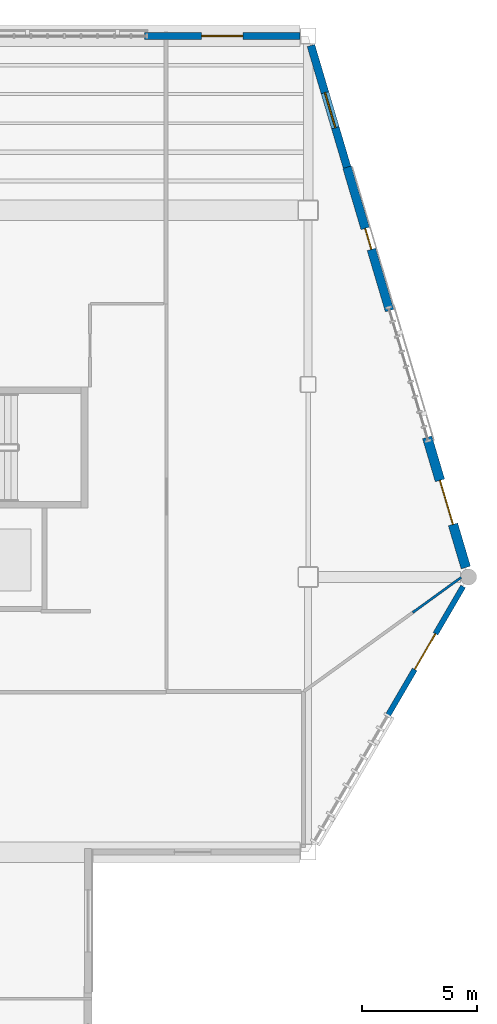
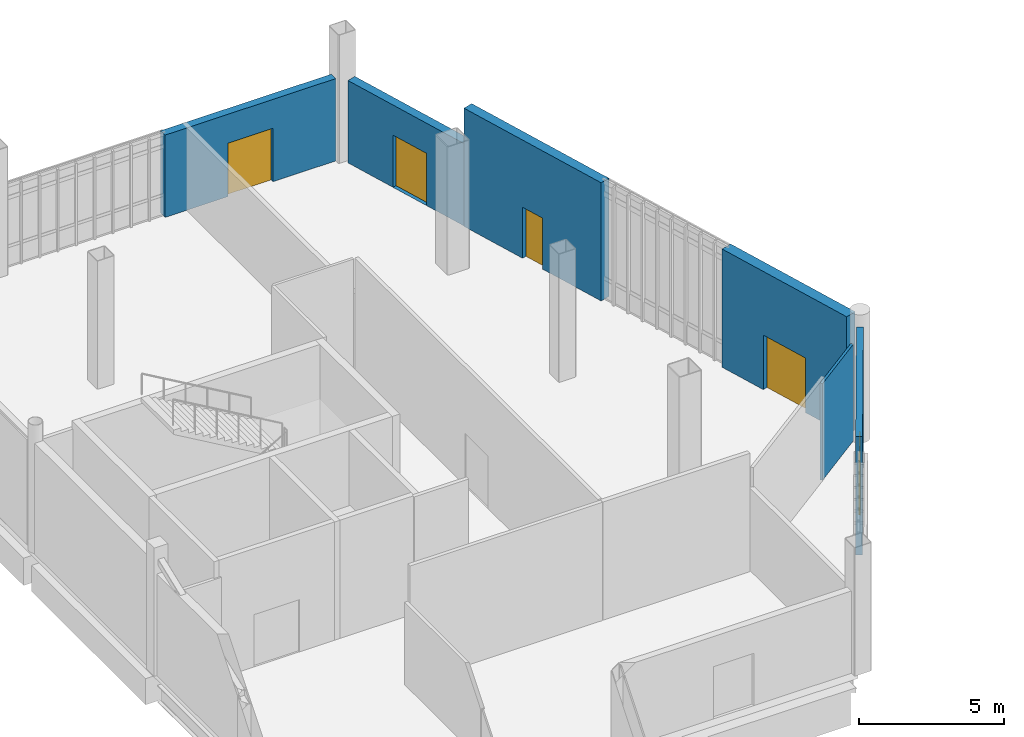
# One storey, part 92 of 111: 6 walls, 5 doors, 5 openings.
"""IFC4 building model written with IfcOpenShell, lengths in metres."""

from ifc_helpers import new_model, si_unit, direction, frame, frame_2d, origin, place, context, subcontext, project, spatial, rectangle, extrude, material, layer, layer_set, type_object, element, fill, save


model = new_model("IFC4")

# Units and contexts
model_context = context("Model", 3, precision=1e-05, world=origin(), true_north=direction((0.0, 1.0)))
body_context = subcontext(model_context, "Body", "Model", "MODEL_VIEW")
ifc_project = project(units=[si_unit("LENGTHUNIT", "METRE"), si_unit("AREAUNIT", "SQUARE_METRE"), si_unit("VOLUMEUNIT", "CUBIC_METRE"), si_unit("PLANEANGLEUNIT", "RADIAN"), si_unit("MASSUNIT", "GRAM", prefix="KILO")], contexts=[model_context])

# Site, building, storey
site_placement = place(None, origin())
site = spatial("IfcSite", under=ifc_project, at=site_placement, CompositionType="ELEMENT")
building_placement = place(site_placement, origin())
building = spatial("IfcBuilding", under=site, at=building_placement, Name="Larkvane Passage Sports Hall", CompositionType="ELEMENT")
storey_placement = place(building_placement, origin())
storey = spatial("IfcBuildingStorey", under=building, at=storey_placement, Name="L00", CompositionType="ELEMENT", Elevation=0.0)

# Wall, opening, door
ifc_material_1 = material(Name="Concrete C40/50", Category="concrete")
ifc_layer_1 = layer(ifc_material_1, 0.239990234375)
ifc_layer_set_1 = layer_set([ifc_layer_1], Name="Concrete C40/50")
wall_type_1 = type_object("IfcWallType", Name="WL-EXT-240", PredefinedType="SOLIDWALL", material=ifc_layer_set_1)
wall_1_placement = place(storey_placement, frame((152.36083984375, 75.18994140625, 0.0), z_axis=(0.0, 0.0, 1.0), x_axis=(-0.503871025524, -0.863778900898, 0.0)))
wall_1 = element("IfcWall", 1, at=wall_1_placement, inside=storey, type_object=wall_type_1, Name="Exterior wall WAL-EXT-L00-042", PredefinedType="SOLIDWALL", context=body_context, shape_type="SweptSolid", body=[
    extrude(rectangle(XDim=6.586669921875, YDim=0.239990234375, at=frame_2d((3.29345703125, 0.0))), origin(), (0.0, 0.0, 1.0), 4.97998046875),
])
opening_1_placement = place(wall_1_placement, frame((2.39306640625, 0.0, 0.0)))
opening_1 = element("IfcOpeningElement", 2, at=opening_1_placement, cuts=wall_1, Name="Opening DE-03", PredefinedType="OPENING", context=body_context, shape_type="SweptSolid", body=[
    extrude(rectangle(XDim=1.800048828125, YDim=2.25, at=frame_2d((0.89990234375, 1.125))), frame((0.0, 0.1298828125, 0.0), z_axis=(0.0, -1.0, 0.0), x_axis=(1.0, 0.0, 0.0)), (0.0, 0.0, 1.0), 0.260009765625),
])
ifc_material_2 = material(Name="Galvanised steel S355JR fire exit leaf", Category="steel")
door_type_1 = type_object("IfcDoorType", Name="DR-EXIT-1800", OperationType="DOUBLE_DOOR_SINGLE_SWING", PredefinedType="DOOR", material=ifc_material_2)
door_1_placement = place(opening_1_placement, origin())
door_1 = element("IfcDoor", 3, at=door_1_placement, inside=storey, type_object=door_type_1, Name="Exterior door L00-023", OperationType="DOUBLE_DOOR_SINGLE_SWING", OverallHeight=2.25, OverallWidth=1.800048828125, PredefinedType="DOOR", context=body_context, shape_type="SweptSolid", body=[
    extrude(rectangle(XDim=1.800048828125, YDim=2.25, at=frame_2d((0.89990234375, 1.125))), frame((0.0, 0.02490234375, 0.0), z_axis=(0.0, -1.0, 0.0), x_axis=(1.0, 0.0, 0.0)), (0.0, 0.0, 1.0), 0.050048828125),
])
fill(opening_1, door_1)

ifc_material_3 = material(Name="Precast concrete C45/55", Category="concrete")
ifc_layer_2 = layer(ifc_material_3, 0.31005859375)
ifc_layer_set_2 = layer_set([ifc_layer_2], Name="Precast concrete C45/55")
wall_type_2 = type_object("IfcWallType", Name="WL-EXT-310", PredefinedType="SOLIDWALL", material=ifc_layer_set_2)
wall_2_placement = place(storey_placement, frame((138.451171875, 99.199951171875, 0.0), z_axis=(0.0, 0.0, 1.0), x_axis=(1.0, 0.0, 0.0)))
wall_2 = element("IfcWall", 4, at=wall_2_placement, inside=storey, type_object=wall_type_2, Name="Exterior wall WAL-EXT-L00-038", PredefinedType="SOLIDWALL", context=body_context, shape_type="SweptSolid", body=[
    extrude(rectangle(XDim=6.802734375, YDim=0.31005859375, at=frame_2d((3.4013671875, 0.0))), origin(), (0.0, 0.0, 1.0), 3.468017578125),
])
opening_2_placement = place(wall_2_placement, frame((2.5009765625, 0.0, 0.0)))
opening_2 = element("IfcOpeningElement", 5, at=opening_2_placement, cuts=wall_2, Name="Opening DE-03", PredefinedType="OPENING", context=body_context, shape_type="SweptSolid", body=[
    extrude(rectangle(XDim=1.800048828125, YDim=2.25, at=frame_2d((0.89990234375, 1.125))), frame((0.0, 0.1650390625, 0.0), z_axis=(0.0, -1.0, 0.0), x_axis=(1.0, 0.0, 0.0)), (0.0, 0.0, 1.0), 0.330078125),
])
door_2_placement = place(opening_2_placement, origin())
door_2 = element("IfcDoor", 6, at=door_2_placement, inside=storey, type_object=door_type_1, Name="Exterior door L00-019", OperationType="DOUBLE_DOOR_SINGLE_SWING", OverallHeight=2.25, OverallWidth=1.800048828125, PredefinedType="DOOR", context=body_context, shape_type="SweptSolid", body=[
    extrude(rectangle(XDim=1.800048828125, YDim=2.25, at=frame_2d((0.89990234375, 1.125))), frame((0.0, 0.02490234375, 0.0), z_axis=(0.0, -1.0, 0.0), x_axis=(1.0, 0.0, 0.0)), (0.0, 0.0, 1.0), 0.050048828125),
])
fill(opening_2, door_2)

ifc_layer_3 = layer(ifc_material_3, 0.344970703125)
ifc_layer_set_3 = layer_set([ifc_layer_3], Name="Precast concrete C45/55")
wall_type_3 = type_object("IfcWallType", Name="WL-EXT-345", PredefinedType="SOLIDWALL", material=ifc_layer_set_3)
wall_3_placement = place(storey_placement, frame((145.72265625, 98.78662109375, 0.0), z_axis=(0.0, 0.0, 1.0), x_axis=(0.284372052142, -0.958714001129, 0.0)))
wall_3 = element("IfcWall", 7, at=wall_3_placement, inside=storey, type_object=wall_type_3, Name="Exterior wall WAL-EXT-L00-039", PredefinedType="SOLIDWALL", context=body_context, shape_type="SweptSolid", body=[
    extrude(rectangle(XDim=5.888671875, YDim=0.344970703125, at=frame_2d((2.9443359375, 0.0))), origin(), (0.0, 0.0, 1.0), 3.468017578125),
])
opening_3_placement = place(wall_3_placement, frame((2.14404296875, 0.0, 0.0)))
opening_3 = element("IfcOpeningElement", 8, at=opening_3_placement, cuts=wall_3, Name="Opening DE-04", PredefinedType="OPENING", context=body_context, shape_type="SweptSolid", body=[
    extrude(rectangle(XDim=1.60009765625, YDim=2.199951171875, at=frame_2d((0.800048828125, 1.10009765625))), frame((0.0, 0.182373046875, 0.0), z_axis=(0.0, -1.0, 0.0), x_axis=(1.0, 0.0, 0.0)), (0.0, 0.0, 1.0), 0.364990234375),
])
door_type_2 = type_object("IfcDoorType", Name="DR-EXIT-1600", OperationType="DOUBLE_DOOR_SINGLE_SWING", PredefinedType="DOOR", material=ifc_material_2)
door_3_placement = place(opening_3_placement, origin())
door_3 = element("IfcDoor", 9, at=door_3_placement, inside=storey, type_object=door_type_2, Name="Exterior door L00-020", OperationType="DOUBLE_DOOR_SINGLE_SWING", OverallHeight=2.199951171875, OverallWidth=1.60009765625, PredefinedType="DOOR", context=body_context, shape_type="SweptSolid", body=[
    extrude(rectangle(XDim=1.60009765625, YDim=2.199951171875, at=frame_2d((0.800048828125, 1.10009765625))), frame((0.0, 0.02490234375, 0.0), z_axis=(0.0, -1.0, 0.0), x_axis=(1.0, 0.0, 0.0)), (0.0, 0.0, 1.0), 0.050048828125),
])
fill(opening_3, door_3)

ifc_layer_4 = layer(ifc_material_1, 0.385009765625)
ifc_layer_set_4 = layer_set([ifc_layer_4], Name="Concrete C40/50")
wall_type_4 = type_object("IfcWallType", Name="WL-EXT-385", PredefinedType="SOLIDWALL", material=ifc_layer_set_4)
wall_4_placement = place(storey_placement, frame((147.29736328125, 93.477294921875, 0.0), z_axis=(0.0, 0.0, 1.0), x_axis=(0.284380105475, -0.958711612327, 0.0)))
wall_4 = element("IfcWall", 10, at=wall_4_placement, inside=storey, type_object=wall_type_4, Name="Exterior wall WAL-EXT-L00-040", PredefinedType="SOLIDWALL", context=body_context, shape_type="SweptSolid", body=[
    extrude(rectangle(XDim=6.523681640625, YDim=0.385009765625, at=frame_2d((3.26171875, 0.0))), origin(), (0.0, 0.0, 1.0), 4.97998046875),
])
opening_4_placement = place(wall_4_placement, frame((2.787109375, 0.0, 0.0)))
opening_4 = element("IfcOpeningElement", 11, at=opening_4_placement, cuts=wall_4, Name="Opening DE-08", PredefinedType="OPENING", context=body_context, shape_type="SweptSolid", body=[
    extrude(rectangle(XDim=0.949951171875, YDim=2.14990234375, at=frame_2d((0.47509765625, 1.074951171875))), frame((0.0, 0.202392578125, 0.0), z_axis=(0.0, -1.0, 0.0), x_axis=(1.0, 0.0, 0.0)), (0.0, 0.0, 1.0), 0.405029296875),
])
door_type_3 = type_object("IfcDoorType", Name="DR-FIRE-950", OperationType="NOTDEFINED", PredefinedType="DOOR", material=ifc_material_2)
door_4_placement = place(opening_4_placement, origin())
door_4 = element("IfcDoor", 12, at=door_4_placement, inside=storey, type_object=door_type_3, Name="Exterior door L00-021", OperationType="SINGLE_SWING_RIGHT", OverallHeight=2.14990234375, OverallWidth=0.949951171875, PredefinedType="DOOR", context=body_context, shape_type="SweptSolid", body=[
    extrude(rectangle(XDim=0.949951171875, YDim=2.14990234375, at=frame_2d((0.47509765625, 1.074951171875))), frame((0.0, 0.02490234375, 0.0), z_axis=(0.0, -1.0, 0.0), x_axis=(1.0, 0.0, 0.0)), (0.0, 0.0, 1.0), 0.050048828125),
])
fill(opening_4, door_4)

ifc_layer_5 = layer(ifc_material_1, 0.425048828125)
ifc_layer_set_5 = layer_set([ifc_layer_5], Name="Concrete C40/50")
wall_type_5 = type_object("IfcWallType", Name="WL-EXT-425", PredefinedType="SOLIDWALL", material=ifc_layer_set_5)
wall_5_placement = place(storey_placement, frame((150.7919921875, 81.695556640625, 0.0), z_axis=(0.0, 0.0, 1.0), x_axis=(0.284342167034, -0.95872286509, 0.0)))
wall_5 = element("IfcWall", 13, at=wall_5_placement, inside=storey, type_object=wall_type_5, Name="Exterior wall WAL-EXT-L00-041", PredefinedType="SOLIDWALL", context=body_context, shape_type="SweptSolid", body=[
    extrude(rectangle(XDim=5.927001953125, YDim=0.425048828125, at=frame_2d((2.96337890625, 0.0))), origin(), (0.0, 0.0, 1.0), 4.97998046875),
])
opening_5_placement = place(wall_5_placement, frame((1.962890625, 0.0, 0.0)))
opening_5 = element("IfcOpeningElement", 14, at=opening_5_placement, cuts=wall_5, Name="Opening DE-02", PredefinedType="OPENING", context=body_context, shape_type="SweptSolid", body=[
    extrude(rectangle(XDim=2.0, YDim=2.300048828125, at=frame_2d((1.0, 1.14990234375))), frame((0.0, 0.222412109375, 0.0), z_axis=(0.0, -1.0, 0.0), x_axis=(1.0, 0.0, 0.0)), (0.0, 0.0, 1.0), 0.445068359375),
])
ifc_material_4 = material(Name="Anodised aluminium and toughened glass", Category="aluminium")
door_type_4 = type_object("IfcDoorType", Name="DR-ENTR-2000", OperationType="DOUBLE_DOOR_SINGLE_SWING", PredefinedType="DOOR", material=ifc_material_4)
door_5_placement = place(opening_5_placement, origin())
door_5 = element("IfcDoor", 15, at=door_5_placement, inside=storey, type_object=door_type_4, Name="Exterior door L00-022", OperationType="DOUBLE_DOOR_SINGLE_SWING", OverallHeight=2.300048828125, OverallWidth=2.0, PredefinedType="DOOR", context=body_context, shape_type="SweptSolid", body=[
    extrude(rectangle(XDim=2.0, YDim=2.300048828125, at=frame_2d((1.0, 1.14990234375))), frame((0.0, 0.02490234375, 0.0), z_axis=(0.0, -1.0, 0.0), x_axis=(1.0, 0.0, 0.0)), (0.0, 0.0, 1.0), 0.050048828125),
])
fill(opening_5, door_5)

# Wall
ifc_material_5 = material(Name="Gypsum twin-stud acoustic partition")
ifc_layer_6 = layer(ifc_material_5, 0.10009765625)
ifc_layer_set_6 = layer_set([ifc_layer_6], Name="Gypsum twin-stud acoustic partition")
wall_type_6 = type_object("IfcWallType", Name="WL-PART-100", PredefinedType="PARTITIONING", material=ifc_layer_set_6)
wall_6_placement = place(storey_placement, frame((152.274169921875, 75.581298828125, 0.0), z_axis=(0.0, 0.0, 1.0), x_axis=(-0.80977045656, -0.586746800317, 0.0)))
element("IfcWall", 16, at=wall_6_placement, inside=storey, type_object=wall_type_6, Name="Interior partition WAL-PART-L00-0084", PredefinedType="PARTITIONING", context=body_context, shape_type="SweptSolid", body=[
    extrude(rectangle(XDim=2.609619140625, YDim=0.10009765625, at=frame_2d((1.3046875, 0.0))), origin(), (0.0, 0.0, 1.0), 4.070068359375),
])

save(model, "model.ifc")
